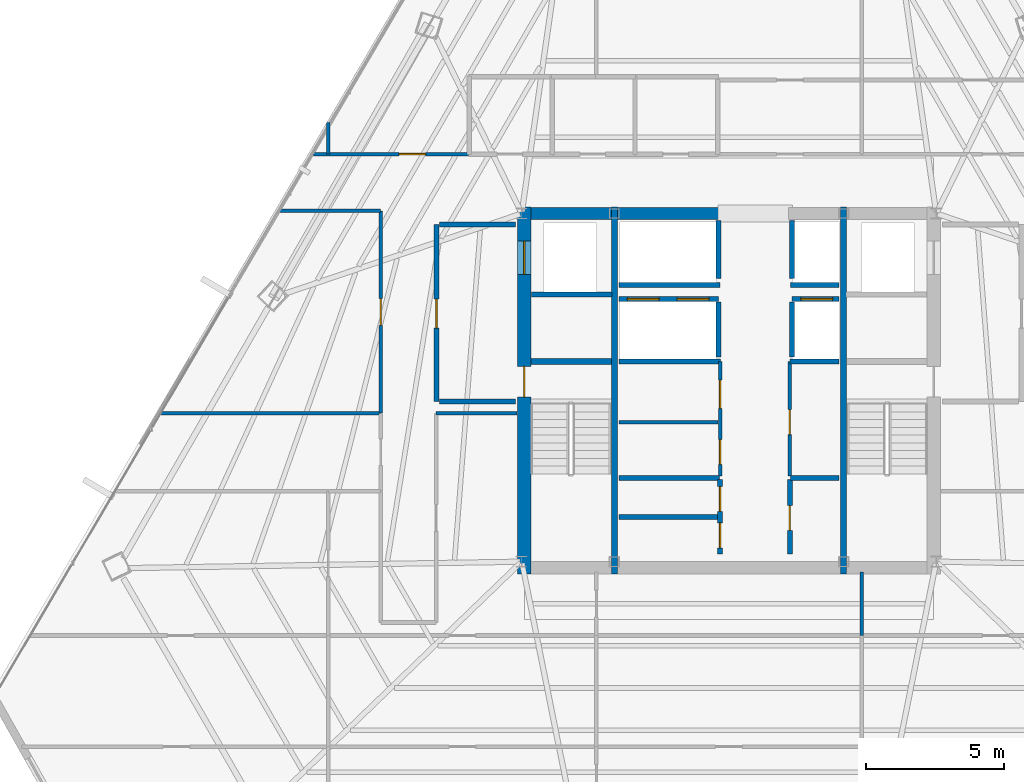
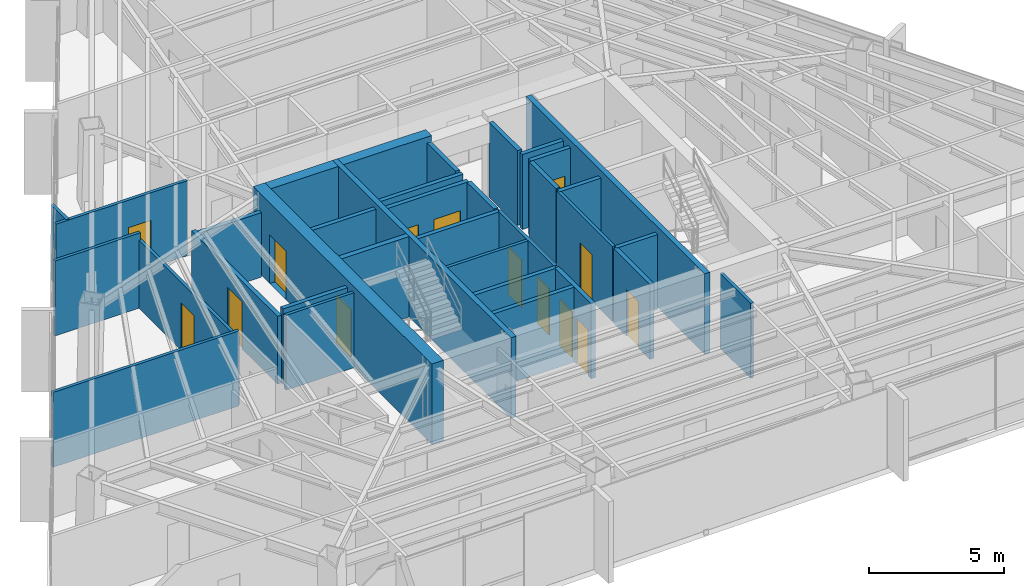
# One storey, part 37 of 44: 35 walls, 14 doors, 14 openings.
"""IFC4 building model written with IfcOpenShell, lengths in metres."""

from ifc_helpers import new_model, si_unit, direction, frame, frame_2d, origin, place, context, subcontext, project, spatial, rectangle, extrude, material, layer, layer_set, type_object, element, fill, save


model = new_model("IFC4")

# Units and contexts
model_context = context("Model", 3, precision=1e-05, world=origin(), true_north=direction((0.0, 1.0)))
body_context = subcontext(model_context, "Body", "Model", "MODEL_VIEW")
ifc_project = project(units=[si_unit("LENGTHUNIT", "METRE"), si_unit("AREAUNIT", "SQUARE_METRE"), si_unit("VOLUMEUNIT", "CUBIC_METRE"), si_unit("PLANEANGLEUNIT", "RADIAN"), si_unit("MASSUNIT", "GRAM", prefix="KILO")], contexts=[model_context])

# Site, building, storey
site_placement = place(None, origin())
site = spatial("IfcSite", under=ifc_project, at=site_placement, CompositionType="ELEMENT")
building_placement = place(site_placement, origin())
building = spatial("IfcBuilding", under=site, at=building_placement, Name="Caelisora Broadcast Tower", CompositionType="ELEMENT")
storey_placement = place(building_placement, frame((0.0, 0.0, 198.64990234375)))
storey = spatial("IfcBuildingStorey", under=building, at=storey_placement, Name="L52", CompositionType="ELEMENT", Elevation=198.64990234375)

# Wall, openings, doors
ifc_material_1 = material(Name="Concrete 50 MPa (AS 3600 S50)", Category="concrete")
ifc_layer_1 = layer(ifc_material_1, 0.5, Name="Concrete 50 MPa (AS 3600 S50)")
ifc_layer_set_1 = layer_set([ifc_layer_1], Name="Concrete 50 MPa (AS 3600 S50)")
wall_type_1 = type_object("IfcWallType", Name="CW2", PredefinedType="SHEAR", material=ifc_layer_set_1)
wall_1_placement = place(storey_placement, frame((30.590087890625, 16.949951171875, 0.0), z_axis=(0.0, 0.0, 1.0), x_axis=(0.0, 1.0, 0.0)))
wall_1 = element("IfcWall", 1, at=wall_1_placement, inside=storey, type_object=wall_type_1, Name="L52 core shear wall CW2", PredefinedType="SHEAR", context=body_context, shape_type="SweptSolid", body=[
    extrude(rectangle(XDim=13.275146484375, YDim=0.5, at=frame_2d((6.6376953125, 0.0))), origin(), (0.0, 0.0, 1.0), 3.650146484375),
])
opening_1_placement = place(wall_1_placement, frame((6.39990234375, 0.0, 0.0)))
opening_1 = element("IfcOpeningElement", 2, at=opening_1_placement, cuts=wall_1, Name="Opening FD04", PredefinedType="OPENING", context=body_context, shape_type="SweptSolid", body=[
    extrude(rectangle(XDim=1.1201171875, YDim=2.14990234375, at=frame_2d((0.56005859375, 1.074951171875))), frame((0.0, 0.261962890625, 0.0), z_axis=(0.0, -1.0, 0.0), x_axis=(1.0, 0.0, 0.0)), (0.0, 0.0, 1.0), 0.52392578125),
])
opening_2_placement = place(wall_1_placement, frame((10.85009765625, 0.0, 0.0)))
opening_2 = element("IfcOpeningElement", 3, at=opening_2_placement, cuts=wall_1, Name="Opening LD04", PredefinedType="OPENING", context=body_context, shape_type="SweptSolid", body=[
    extrude(rectangle(XDim=1.199951171875, YDim=2.199951171875, at=frame_2d((0.60009765625, 1.10009765625))), frame((0.0, 0.261962890625, 0.0), z_axis=(0.0, -1.0, 0.0), x_axis=(1.0, 0.0, 0.0)), (0.0, 0.0, 1.0), 0.52392578125),
])
ifc_material_2 = material(Name="Pressurised Fire-Isolated Stair Door", Category="steel")
door_type_1 = type_object("IfcDoorType", Name="FD04", OperationType="NOTDEFINED", PredefinedType="DOOR", material=ifc_material_2)
door_1_placement = place(opening_1_placement, origin())
door_1 = element("IfcDoor", 4, at=door_1_placement, inside=storey, type_object=door_type_1, Name="L52 door FD04 (L52-DR-ST1)", OperationType="SINGLE_SWING_LEFT", OverallHeight=2.14990234375, OverallWidth=1.1201171875, PredefinedType="DOOR", context=body_context, shape_type="SweptSolid", body=[
    extrude(rectangle(XDim=1.1201171875, YDim=2.14990234375, at=frame_2d((0.56005859375, 1.074951171875))), frame((0.0, 0.02490234375, 0.0), z_axis=(0.0, -1.0, 0.0), x_axis=(1.0, 0.0, 0.0)), (0.0, 0.0, 1.0), 0.050048828125),
])
fill(opening_1, door_1)
ifc_material_3 = material(Name="Emergency Firefighting Lift Sliding Landing Door", Category="steel")
door_type_2 = type_object("IfcDoorType", Name="LD04", OperationType="NOTDEFINED", PredefinedType="DOOR", material=ifc_material_3)
door_2_placement = place(opening_2_placement, origin())
door_2 = element("IfcDoor", 5, at=door_2_placement, inside=storey, type_object=door_type_2, Name="L52 door LD04 (L52-LD-FFL1)", OperationType="SLIDING_TO_LEFT", OverallHeight=2.199951171875, OverallWidth=1.199951171875, PredefinedType="DOOR", context=body_context, shape_type="SweptSolid", body=[
    extrude(rectangle(XDim=1.199951171875, YDim=2.199951171875, at=frame_2d((0.60009765625, 1.10009765625))), frame((0.0, 0.02490234375, 0.0), z_axis=(0.0, -1.0, 0.0), x_axis=(1.0, 0.0, 0.0)), (0.0, 0.0, 1.0), 0.050048828125),
])
fill(opening_2, door_2)

# Walls
ifc_layer_2 = layer(ifc_material_1, 0.449951171875, Name="Concrete 50 MPa (AS 3600 S50)")
ifc_layer_set_2 = layer_set([ifc_layer_2], Name="Concrete 50 MPa (AS 3600 S50)")
wall_type_2 = type_object("IfcWallType", Name="CW5", PredefinedType="SHEAR", material=ifc_layer_set_2)
wall_2_placement = place(storey_placement, frame((30.840087890625, 30.0, 0.0), z_axis=(0.0, 0.0, 1.0), x_axis=(1.0, 0.0, 0.0)))
element("IfcWall", 6, at=wall_2_placement, inside=storey, type_object=wall_type_2, Name="L52 core shear wall CW5", PredefinedType="SHEAR", context=body_context, shape_type="SweptSolid", body=[
    extrude(rectangle(XDim=2.89990234375, YDim=0.449951171875, at=frame_2d((1.449951171875, 0.0))), origin(), (0.0, 0.0, 1.0), 3.650146484375),
])
wall_3_placement = place(storey_placement, frame((33.9599609375, 30.0, 0.0), z_axis=(0.0, 0.0, 1.0), x_axis=(1.0, 0.0, 0.0)))
element("IfcWall", 7, at=wall_3_placement, inside=storey, type_object=wall_type_2, Name="L52 core shear wall CW5", PredefinedType="SHEAR", context=body_context, shape_type="SweptSolid", body=[
    extrude(rectangle(XDim=3.780029296875, YDim=0.449951171875, at=frame_2d((1.89013671875, 0.0))), origin(), (0.0, 0.0, 1.0), 3.650146484375),
])
ifc_layer_3 = layer(ifc_material_1, 0.219970703125, Name="Concrete 50 MPa (AS 3600 S50)")
ifc_layer_set_3 = layer_set([ifc_layer_3], Name="Concrete 50 MPa (AS 3600 S50)")
wall_type_3 = type_object("IfcWallType", Name="CW7", PredefinedType="SHEAR", material=ifc_layer_set_3)
for number, where, z_axis, x_axis, name in (
    (8, (33.85009765625, 16.949951171875, 0.0), (0.0, 0.0, 1.0), (0.0, 1.0, 0.0), "L52 core shear wall CW7"),
    (9, (42.14990234375, 16.949951171875, 0.0), (0.0, 0.0, 1.0), (0.0, 1.0, 0.0), "L52 core shear wall CW7"),
):
    element("IfcWall", number, at=place(storey_placement, frame(where, z_axis=z_axis, x_axis=x_axis)), inside=storey, type_object=wall_type_3, Name=name, PredefinedType="SHEAR", context=body_context, shape_type="SweptSolid", body=[
        extrude(rectangle(XDim=13.275146484375, YDim=0.219970703125, at=frame_2d((6.6376953125, 0.0))), origin(), (0.0, 0.0, 1.0), 3.650146484375),
    ])
wall_4_placement = place(storey_placement, frame((30.840087890625, 24.639892578125, 0.0), z_axis=(0.0, 0.0, 1.0), x_axis=(1.0, 0.0, 0.0)))
element("IfcWall", 10, at=wall_4_placement, inside=storey, type_object=wall_type_3, Name="L52 core shear wall CW7", PredefinedType="SHEAR", context=body_context, shape_type="SweptSolid", body=[
    extrude(rectangle(XDim=2.89990234375, YDim=0.219970703125, at=frame_2d((1.449951171875, 0.0))), origin(), (0.0, 0.0, 1.0), 3.650146484375),
])

# Wall, openings, doors
ifc_material_4 = material(Name="Fire-Rated Gypsum Shaft and Compartment Wall", Category="gypsum")
ifc_layer_4 = layer(ifc_material_4, 0.179931640625, Name="Fire-Rated Gypsum Shaft and Compartment Wall")
ifc_layer_set_4 = layer_set([ifc_layer_4], Name="Fire-Rated Gypsum Shaft and Compartment Wall")
wall_type_4 = type_object("IfcWallType", Name="PW2", PredefinedType="PARTITIONING", material=ifc_layer_set_4)
wall_5_placement = place(storey_placement, frame((34.02001953125, 26.89990234375, 0.0), z_axis=(0.0, 0.0, 1.0), x_axis=(1.0, 0.0, 0.0)))
wall_5 = element("IfcWall", 11, at=wall_5_placement, inside=storey, type_object=wall_type_4, Name="L52 fire compartment wall PW2", PredefinedType="PARTITIONING", context=body_context, shape_type="SweptSolid", body=[
    extrude(rectangle(XDim=3.60009765625, YDim=0.179931640625, at=frame_2d((1.800048828125, 0.0))), origin(), (0.0, 0.0, 1.0), 3.400146484375),
])
opening_3_placement = place(wall_5_placement, frame((0.300048828125, 0.0, 0.0)))
opening_3 = element("IfcOpeningElement", 12, at=opening_3_placement, cuts=wall_5, Name="Opening LD02", PredefinedType="OPENING", context=body_context, shape_type="SweptSolid", body=[
    extrude(rectangle(XDim=1.14990234375, YDim=2.199951171875, at=frame_2d((0.574951171875, 1.10009765625))), frame((0.0, 0.10205078125, 0.0), z_axis=(0.0, -1.0, 0.0), x_axis=(1.0, 0.0, 0.0)), (0.0, 0.0, 1.0), 0.203857421875),
])
opening_4_placement = place(wall_5_placement, frame((2.10009765625, 0.0, 0.0)))
opening_4 = element("IfcOpeningElement", 13, at=opening_4_placement, cuts=wall_5, Name="Opening LD02", PredefinedType="OPENING", context=body_context, shape_type="SweptSolid", body=[
    extrude(rectangle(XDim=1.14990234375, YDim=2.199951171875, at=frame_2d((0.574951171875, 1.10009765625))), frame((0.0, 0.10205078125, 0.0), z_axis=(0.0, -1.0, 0.0), x_axis=(1.0, 0.0, 0.0)), (0.0, 0.0, 1.0), 0.203857421875),
])
ifc_material_5 = material(Name="High-Speed Express Lift Sliding Landing Door", Category="steel")
door_type_3 = type_object("IfcDoorType", Name="LD02", OperationType="NOTDEFINED", PredefinedType="DOOR", material=ifc_material_5)
door_3_placement = place(opening_3_placement, origin())
door_3 = element("IfcDoor", 14, at=door_3_placement, inside=storey, type_object=door_type_3, Name="L52 door LD02 (L52-LD-PLM1)", OperationType="SLIDING_TO_LEFT", OverallHeight=2.199951171875, OverallWidth=1.14990234375, PredefinedType="DOOR", context=body_context, shape_type="SweptSolid", body=[
    extrude(rectangle(XDim=1.14990234375, YDim=2.199951171875, at=frame_2d((0.574951171875, 1.10009765625))), frame((0.0, 0.02490234375, 0.0), z_axis=(0.0, -1.0, 0.0), x_axis=(1.0, 0.0, 0.0)), (0.0, 0.0, 1.0), 0.050048828125),
])
fill(opening_3, door_3)
door_4_placement = place(opening_4_placement, origin())
door_4 = element("IfcDoor", 15, at=door_4_placement, inside=storey, type_object=door_type_3, Name="L52 door LD02 (L52-LD-PLM2)", OperationType="SLIDING_TO_RIGHT", OverallHeight=2.199951171875, OverallWidth=1.14990234375, PredefinedType="DOOR", context=body_context, shape_type="SweptSolid", body=[
    extrude(rectangle(XDim=1.14990234375, YDim=2.199951171875, at=frame_2d((0.574951171875, 1.10009765625))), frame((0.0, 0.02490234375, 0.0), z_axis=(0.0, -1.0, 0.0), x_axis=(1.0, 0.0, 0.0)), (0.0, 0.0, 1.0), 0.050048828125),
])
fill(opening_4, door_4)

# Wall, opening, door
wall_6_placement = place(storey_placement, frame((40.280029296875, 26.89990234375, 0.0), z_axis=(0.0, 0.0, 1.0), x_axis=(1.0, 0.0, 0.0)))
wall_6 = element("IfcWall", 16, at=wall_6_placement, inside=storey, type_object=wall_type_4, Name="L52 fire compartment wall PW2", PredefinedType="PARTITIONING", context=body_context, shape_type="SweptSolid", body=[
    extrude(rectangle(XDim=1.699951171875, YDim=0.179931640625, at=frame_2d((0.85009765625, 0.0))), origin(), (0.0, 0.0, 1.0), 3.400146484375),
])
opening_5_placement = place(wall_6_placement, frame((0.320068359375, 0.0, 0.0)))
opening_5 = element("IfcOpeningElement", 17, at=opening_5_placement, cuts=wall_6, Name="Opening LD02", PredefinedType="OPENING", context=body_context, shape_type="SweptSolid", body=[
    extrude(rectangle(XDim=1.14990234375, YDim=2.199951171875, at=frame_2d((0.574951171875, 1.10009765625))), frame((0.0, 0.10205078125, 0.0), z_axis=(0.0, -1.0, 0.0), x_axis=(1.0, 0.0, 0.0)), (0.0, 0.0, 1.0), 0.203857421875),
])
door_5_placement = place(opening_5_placement, origin())
door_5 = element("IfcDoor", 18, at=door_5_placement, inside=storey, type_object=door_type_3, Name="L52 door LD02 (L52-LD-PLM3)", OperationType="SLIDING_TO_LEFT", OverallHeight=2.199951171875, OverallWidth=1.14990234375, PredefinedType="DOOR", context=body_context, shape_type="SweptSolid", body=[
    extrude(rectangle(XDim=1.14990234375, YDim=2.199951171875, at=frame_2d((0.574951171875, 1.10009765625))), frame((0.0, 0.02490234375, 0.0), z_axis=(0.0, -1.0, 0.0), x_axis=(1.0, 0.0, 0.0)), (0.0, 0.0, 1.0), 0.050048828125),
])
fill(opening_5, door_5)

# Walls
for number, where, z_axis, x_axis, name in (
    (19, (37.6201171875, 24.800048828125, 0.0), (0.0, 0.0, 1.0), (0.0, 1.0, 0.0), "L52 fire compartment wall PW2"),
    (20, (40.280029296875, 24.800048828125, 0.0), (0.0, 0.0, 1.0), (0.0, 1.0, 0.0), "L52 fire compartment wall PW2"),
):
    element("IfcWall", number, at=place(storey_placement, frame(where, z_axis=z_axis, x_axis=x_axis)), inside=storey, type_object=wall_type_4, Name=name, PredefinedType="PARTITIONING", context=body_context, shape_type="SweptSolid", body=[
        extrude(rectangle(XDim=2.0, YDim=0.179931640625, at=frame_2d((1.0, 0.0))), origin(), (0.0, 0.0, 1.0), 3.400146484375),
    ])
wall_7_placement = place(storey_placement, frame((34.02001953125, 24.639892578125, 0.0), z_axis=(0.0, 0.0, 1.0), x_axis=(1.0, 0.0, 0.0)))
element("IfcWall", 21, at=wall_7_placement, inside=storey, type_object=wall_type_4, Name="L52 fire compartment wall PW2", PredefinedType="PARTITIONING", context=body_context, shape_type="SweptSolid", body=[
    extrude(rectangle(XDim=3.679931640625, YDim=0.179931640625, at=frame_2d((1.83984375, 0.0))), origin(), (0.0, 0.0, 1.0), 3.400146484375),
])
wall_8_placement = place(storey_placement, frame((40.199951171875, 24.639892578125, 0.0), z_axis=(0.0, 0.0, 1.0), x_axis=(1.0, 0.0, 0.0)))
element("IfcWall", 22, at=wall_8_placement, inside=storey, type_object=wall_type_4, Name="L52 fire compartment wall PW2", PredefinedType="PARTITIONING", context=body_context, shape_type="SweptSolid", body=[
    extrude(rectangle(XDim=1.780029296875, YDim=0.179931640625, at=frame_2d((0.89013671875, 0.0))), origin(), (0.0, 0.0, 1.0), 3.400146484375),
])
wall_9_placement = place(storey_placement, frame((34.02001953125, 27.419921875, 0.0), z_axis=(0.0, 0.0, 1.0), x_axis=(1.0, 0.0, 0.0)))
element("IfcWall", 23, at=wall_9_placement, inside=storey, type_object=wall_type_4, Name="L52 fire compartment wall PW2", PredefinedType="PARTITIONING", context=body_context, shape_type="SweptSolid", body=[
    extrude(rectangle(XDim=3.659912109375, YDim=0.179931640625, at=frame_2d((1.830078125, 0.0))), origin(), (0.0, 0.0, 1.0), 3.400146484375),
])
wall_10_placement = place(storey_placement, frame((40.219970703125, 27.419921875, 0.0), z_axis=(0.0, 0.0, 1.0), x_axis=(1.0, 0.0, 0.0)))
element("IfcWall", 24, at=wall_10_placement, inside=storey, type_object=wall_type_4, Name="L52 fire compartment wall PW2", PredefinedType="PARTITIONING", context=body_context, shape_type="SweptSolid", body=[
    extrude(rectangle(XDim=1.760009765625, YDim=0.179931640625, at=frame_2d((0.8798828125, 0.0))), origin(), (0.0, 0.0, 1.0), 3.400146484375),
])
for number, where, z_axis, x_axis, name in (
    (25, (37.6201171875, 27.639892578125, 0.0), (0.0, 0.0, 1.0), (0.0, 1.0, 0.0), "L52 fire compartment wall PW2"),
    (26, (40.280029296875, 27.639892578125, 0.0), (0.0, 0.0, 1.0), (0.0, 1.0, 0.0), "L52 fire compartment wall PW2"),
):
    element("IfcWall", number, at=place(storey_placement, frame(where, z_axis=z_axis, x_axis=x_axis)), inside=storey, type_object=wall_type_4, Name=name, PredefinedType="PARTITIONING", context=body_context, shape_type="SweptSolid", body=[
        extrude(rectangle(XDim=2.110107421875, YDim=0.179931640625, at=frame_2d((1.05517578125, 0.0))), origin(), (0.0, 0.0, 1.0), 3.400146484375),
    ])

# Wall, opening, door
wall_11_placement = place(storey_placement, frame((27.419921875, 23.199951171875, 0.0), z_axis=(0.0, 0.0, 1.0), x_axis=(0.0, 1.0, 0.0)))
wall_11 = element("IfcWall", 27, at=wall_11_placement, inside=storey, type_object=wall_type_4, Name="L52 fire compartment wall PW2", PredefinedType="PARTITIONING", context=body_context, shape_type="SweptSolid", body=[
    extrude(rectangle(XDim=6.400146484375, YDim=0.179931640625, at=frame_2d((3.2001953125, 0.0))), origin(), (0.0, 0.0, 1.0), 3.077880859375),
])
opening_6_placement = place(wall_11_placement, frame((2.64990234375, 0.0, 0.0)))
opening_6 = element("IfcOpeningElement", 28, at=opening_6_placement, cuts=wall_11, Name="Opening FD02", PredefinedType="OPENING", context=body_context, shape_type="SweptSolid", body=[
    extrude(rectangle(XDim=1.050048828125, YDim=2.14990234375, at=frame_2d((0.52490234375, 1.074951171875))), frame((0.0, 0.10205078125, 0.0), z_axis=(0.0, -1.0, 0.0), x_axis=(1.0, 0.0, 0.0)), (0.0, 0.0, 1.0), 0.203857421875),
])
ifc_material_6 = material(Name="Single-Leaf Steel Fire Lobby Door", Category="steel")
door_type_4 = type_object("IfcDoorType", Name="FD02", OperationType="NOTDEFINED", PredefinedType="DOOR", material=ifc_material_6)
door_6_placement = place(opening_6_placement, origin())
door_6 = element("IfcDoor", 29, at=door_6_placement, inside=storey, type_object=door_type_4, Name="L52 door FD02 (L52-DR-P01D1)", OperationType="SINGLE_SWING_LEFT", OverallHeight=2.14990234375, OverallWidth=1.050048828125, PredefinedType="DOOR", context=body_context, shape_type="SweptSolid", body=[
    extrude(rectangle(XDim=1.050048828125, YDim=2.14990234375, at=frame_2d((0.52490234375, 1.074951171875))), frame((0.0, 0.02490234375, 0.0), z_axis=(0.0, -1.0, 0.0), x_axis=(1.0, 0.0, 0.0)), (0.0, 0.0, 1.0), 0.050048828125),
])
fill(opening_6, door_6)

# Walls
wall_12_placement = place(storey_placement, frame((27.52001953125, 23.199951171875, 0.0), z_axis=(0.0, 0.0, 1.0), x_axis=(1.0, 0.0, 0.0)))
element("IfcWall", 30, at=wall_12_placement, inside=storey, type_object=wall_type_4, Name="L52 fire compartment wall PW2", PredefinedType="PARTITIONING", context=body_context, shape_type="SweptSolid", body=[
    extrude(rectangle(XDim=2.760009765625, YDim=0.179931640625, at=frame_2d((1.3798828125, 0.0))), origin(), (0.0, 0.0, 1.0), 3.400146484375),
])
wall_13_placement = place(storey_placement, frame((27.52001953125, 29.60009765625, 0.0), z_axis=(0.0, 0.0, 1.0), x_axis=(1.0, 0.0, 0.0)))
element("IfcWall", 31, at=wall_13_placement, inside=storey, type_object=wall_type_4, Name="L52 fire compartment wall PW2", PredefinedType="PARTITIONING", context=body_context, shape_type="SweptSolid", body=[
    extrude(rectangle(XDim=2.760009765625, YDim=0.179931640625, at=frame_2d((1.3798828125, 0.0))), origin(), (0.0, 0.0, 1.0), 2.9248046875),
])
wall_14_placement = place(storey_placement, frame((30.860107421875, 27.070068359375, 0.0), z_axis=(0.0, 0.0, 1.0), x_axis=(1.0, 0.0, 0.0)))
element("IfcWall", 32, at=wall_14_placement, inside=storey, type_object=wall_type_4, Name="L52 fire compartment wall PW2", PredefinedType="PARTITIONING", context=body_context, shape_type="SweptSolid", body=[
    extrude(rectangle(XDim=2.89990234375, YDim=0.179931640625, at=frame_2d((1.449951171875, 0.0))), origin(), (0.0, 0.0, 1.0), 3.400146484375),
])
wall_15_placement = place(storey_placement, frame((34.02001953125, 20.419921875, 0.0), z_axis=(0.0, 0.0, 1.0), x_axis=(1.0, 0.0, 0.0)))
element("IfcWall", 33, at=wall_15_placement, inside=storey, type_object=wall_type_4, Name="L52 fire compartment wall PW2", PredefinedType="PARTITIONING", context=body_context, shape_type="SweptSolid", body=[
    extrude(rectangle(XDim=3.639892578125, YDim=0.179931640625, at=frame_2d((1.81982421875, 0.0))), origin(), (0.0, 0.0, 1.0), 3.400146484375),
])
wall_16_placement = place(storey_placement, frame((40.219970703125, 20.419921875, 0.0), z_axis=(0.0, 0.0, 1.0), x_axis=(1.0, 0.0, 0.0)))
element("IfcWall", 34, at=wall_16_placement, inside=storey, type_object=wall_type_4, Name="L52 fire compartment wall PW2", PredefinedType="PARTITIONING", context=body_context, shape_type="SweptSolid", body=[
    extrude(rectangle(XDim=1.760009765625, YDim=0.179931640625, at=frame_2d((0.8798828125, 0.0))), origin(), (0.0, 0.0, 1.0), 3.400146484375),
])
wall_17_placement = place(storey_placement, frame((34.02001953125, 19.02001953125, 0.0), z_axis=(0.0, 0.0, 1.0), x_axis=(1.0, 0.0, 0.0)))
element("IfcWall", 35, at=wall_17_placement, inside=storey, type_object=wall_type_4, Name="L52 fire compartment wall PW2", PredefinedType="PARTITIONING", context=body_context, shape_type="SweptSolid", body=[
    extrude(rectangle(XDim=3.580078125, YDim=0.179931640625, at=frame_2d((1.7900390625, 0.0))), origin(), (0.0, 0.0, 1.0), 3.400146484375),
])

# Wall, openings, doors
wall_18_placement = place(storey_placement, frame((37.679931640625, 17.679931640625, 0.0), z_axis=(0.0, 0.0, 1.0), x_axis=(0.0, 1.0, 0.0)))
wall_18 = element("IfcWall", 36, at=wall_18_placement, inside=storey, type_object=wall_type_4, Name="L52 fire compartment wall PW2", PredefinedType="PARTITIONING", context=body_context, shape_type="SweptSolid", body=[
    extrude(rectangle(XDim=2.699951171875, YDim=0.179931640625, at=frame_2d((1.35009765625, 0.0))), origin(), (0.0, 0.0, 1.0), 3.400146484375),
])
opening_7_placement = place(wall_18_placement, frame((0.219970703125, 0.0, 0.0)))
opening_7 = element("IfcOpeningElement", 37, at=opening_7_placement, cuts=wall_18, Name="Opening FD03", PredefinedType="OPENING", context=body_context, shape_type="SweptSolid", body=[
    extrude(rectangle(XDim=0.89990234375, YDim=2.10009765625, at=frame_2d((0.449951171875, 1.050048828125))), frame((0.0, 0.10205078125, 0.0), z_axis=(0.0, -1.0, 0.0), x_axis=(1.0, 0.0, 0.0)), (0.0, 0.0, 1.0), 0.203857421875),
])
opening_8_placement = place(wall_18_placement, frame((1.5400390625, 0.0, 0.0)))
opening_8 = element("IfcOpeningElement", 38, at=opening_8_placement, cuts=wall_18, Name="Opening FD03", PredefinedType="OPENING", context=body_context, shape_type="SweptSolid", body=[
    extrude(rectangle(XDim=0.89990234375, YDim=2.10009765625, at=frame_2d((0.449951171875, 1.050048828125))), frame((0.0, 0.10205078125, 0.0), z_axis=(0.0, -1.0, 0.0), x_axis=(1.0, 0.0, 0.0)), (0.0, 0.0, 1.0), 0.203857421875),
])
ifc_material_7 = material(Name="Single-Leaf Steel Riser Fire Access Door", Category="steel")
door_type_5 = type_object("IfcDoorType", Name="FD03", OperationType="NOTDEFINED", PredefinedType="DOOR", material=ifc_material_7)
door_7_placement = place(opening_7_placement, origin())
door_7 = element("IfcDoor", 39, at=door_7_placement, inside=storey, type_object=door_type_5, Name="L52 door FD03 (L52-DR-P15D1)", OperationType="SINGLE_SWING_RIGHT", OverallHeight=2.10009765625, OverallWidth=0.89990234375, PredefinedType="DOOR", context=body_context, shape_type="SweptSolid", body=[
    extrude(rectangle(XDim=0.89990234375, YDim=2.10009765625, at=frame_2d((0.449951171875, 1.050048828125))), frame((0.0, 0.02490234375, 0.0), z_axis=(0.0, -1.0, 0.0), x_axis=(1.0, 0.0, 0.0)), (0.0, 0.0, 1.0), 0.050048828125),
])
fill(opening_7, door_7)
door_8_placement = place(opening_8_placement, origin())
door_8 = element("IfcDoor", 40, at=door_8_placement, inside=storey, type_object=door_type_5, Name="L52 door FD03 (L52-DR-P15D2)", OperationType="SINGLE_SWING_LEFT", OverallHeight=2.10009765625, OverallWidth=0.89990234375, PredefinedType="DOOR", context=body_context, shape_type="SweptSolid", body=[
    extrude(rectangle(XDim=0.89990234375, YDim=2.10009765625, at=frame_2d((0.449951171875, 1.050048828125))), frame((0.0, 0.02490234375, 0.0), z_axis=(0.0, -1.0, 0.0), x_axis=(1.0, 0.0, 0.0)), (0.0, 0.0, 1.0), 0.050048828125),
])
fill(opening_8, door_8)

# Wall, opening, door
wall_19_placement = place(storey_placement, frame((40.199951171875, 17.679931640625, 0.0), z_axis=(0.0, 0.0, 1.0), x_axis=(0.0, 1.0, 0.0)))
wall_19 = element("IfcWall", 41, at=wall_19_placement, inside=storey, type_object=wall_type_4, Name="L52 fire compartment wall PW2", PredefinedType="PARTITIONING", context=body_context, shape_type="SweptSolid", body=[
    extrude(rectangle(XDim=2.699951171875, YDim=0.179931640625, at=frame_2d((1.35009765625, 0.0))), origin(), (0.0, 0.0, 1.0), 3.400146484375),
])
opening_9_placement = place(wall_19_placement, frame((0.85009765625, 0.0, 0.0)))
opening_9 = element("IfcOpeningElement", 42, at=opening_9_placement, cuts=wall_19, Name="Opening FD03", PredefinedType="OPENING", context=body_context, shape_type="SweptSolid", body=[
    extrude(rectangle(XDim=0.89990234375, YDim=2.10009765625, at=frame_2d((0.449951171875, 1.050048828125))), frame((0.0, 0.10205078125, 0.0), z_axis=(0.0, -1.0, 0.0), x_axis=(1.0, 0.0, 0.0)), (0.0, 0.0, 1.0), 0.203857421875),
])
door_9_placement = place(opening_9_placement, origin())
door_9 = element("IfcDoor", 43, at=door_9_placement, inside=storey, type_object=door_type_5, Name="L52 door FD03 (L52-DR-P16D1)", OperationType="SINGLE_SWING_RIGHT", OverallHeight=2.10009765625, OverallWidth=0.89990234375, PredefinedType="DOOR", context=body_context, shape_type="SweptSolid", body=[
    extrude(rectangle(XDim=0.89990234375, YDim=2.10009765625, at=frame_2d((0.449951171875, 1.050048828125))), frame((0.0, 0.02490234375, 0.0), z_axis=(0.0, -1.0, 0.0), x_axis=(1.0, 0.0, 0.0)), (0.0, 0.0, 1.0), 0.050048828125),
])
fill(opening_9, door_9)

# Wall
ifc_material_8 = material(Name="Acoustic Steel-Stud Plasterboard Partition", Category="gypsum")
ifc_layer_5 = layer(ifc_material_8, 0.1298828125, Name="Acoustic Steel-Stud Plasterboard Partition")
ifc_layer_set_5 = layer_set([ifc_layer_5], Name="Acoustic Steel-Stud Plasterboard Partition")
wall_type_5 = type_object("IfcWallType", Name="PW3", PredefinedType="PARTITIONING", material=ifc_layer_set_5)
wall_20_placement = place(storey_placement, frame((34.02001953125, 22.449951171875, 0.0), z_axis=(0.0, 0.0, 1.0), x_axis=(1.0, 0.0, 0.0)))
element("IfcWall", 44, at=wall_20_placement, inside=storey, type_object=wall_type_5, Name="L52 internal partition PW3", PredefinedType="PARTITIONING", context=body_context, shape_type="SweptSolid", body=[
    extrude(rectangle(XDim=3.580078125, YDim=0.1298828125, at=frame_2d((1.7900390625, 0.0))), origin(), (0.0, 0.0, 1.0), 3.400146484375),
])

# Wall, openings, doors
wall_21_placement = place(storey_placement, frame((37.679931640625, 20.5, 0.0), z_axis=(0.0, 0.0, 1.0), x_axis=(0.0, 1.0, 0.0)))
wall_21 = element("IfcWall", 45, at=wall_21_placement, inside=storey, type_object=wall_type_5, Name="L52 internal partition PW3", PredefinedType="PARTITIONING", context=body_context, shape_type="SweptSolid", body=[
    extrude(rectangle(XDim=4.139892578125, YDim=0.1298828125, at=frame_2d((2.06982421875, 0.0))), origin(), (0.0, 0.0, 1.0), 3.400146484375),
])
opening_10_placement = place(wall_21_placement, frame((0.419921875, 0.0, 0.0)))
opening_10 = element("IfcOpeningElement", 46, at=opening_10_placement, cuts=wall_21, Name="Opening FD03", PredefinedType="OPENING", context=body_context, shape_type="SweptSolid", body=[
    extrude(rectangle(XDim=0.89990234375, YDim=2.10009765625, at=frame_2d((0.449951171875, 1.050048828125))), frame((0.0, 0.076904296875, 0.0), z_axis=(0.0, -1.0, 0.0), x_axis=(1.0, 0.0, 0.0)), (0.0, 0.0, 1.0), 0.15380859375),
])
opening_11_placement = place(wall_21_placement, frame((2.449951171875, 0.0, 0.0)))
opening_11 = element("IfcOpeningElement", 47, at=opening_11_placement, cuts=wall_21, Name="Opening D02", PredefinedType="OPENING", context=body_context, shape_type="SweptSolid", body=[
    extrude(rectangle(XDim=1.02001953125, YDim=2.14990234375, at=frame_2d((0.510009765625, 1.074951171875))), frame((0.0, 0.076904296875, 0.0), z_axis=(0.0, -1.0, 0.0), x_axis=(1.0, 0.0, 0.0)), (0.0, 0.0, 1.0), 0.15380859375),
])
ifc_material_9 = material(Name="Solid-Core Timber Archive Suite Door", Category="wood")
door_type_6 = type_object("IfcDoorType", Name="D02", OperationType="NOTDEFINED", PredefinedType="DOOR", material=ifc_material_9)
door_10_placement = place(opening_11_placement, origin())
door_10 = element("IfcDoor", 48, at=door_10_placement, inside=storey, type_object=door_type_6, Name="L52 door D02 (L52-DR-P12D2)", OperationType="SINGLE_SWING_RIGHT", OverallHeight=2.14990234375, OverallWidth=1.02001953125, PredefinedType="DOOR", context=body_context, shape_type="SweptSolid", body=[
    extrude(rectangle(XDim=1.02001953125, YDim=2.14990234375, at=frame_2d((0.510009765625, 1.074951171875))), frame((0.0, 0.02490234375, 0.0), z_axis=(0.0, -1.0, 0.0), x_axis=(1.0, 0.0, 0.0)), (0.0, 0.0, 1.0), 0.050048828125),
])
fill(opening_11, door_10)
door_11_placement = place(opening_10_placement, origin())
door_11 = element("IfcDoor", 49, at=door_11_placement, inside=storey, type_object=door_type_5, Name="L52 door FD03 (L52-DR-P12D1)", OperationType="SINGLE_SWING_LEFT", OverallHeight=2.10009765625, OverallWidth=0.89990234375, PredefinedType="DOOR", context=body_context, shape_type="SweptSolid", body=[
    extrude(rectangle(XDim=0.89990234375, YDim=2.10009765625, at=frame_2d((0.449951171875, 1.050048828125))), frame((0.0, 0.02490234375, 0.0), z_axis=(0.0, -1.0, 0.0), x_axis=(1.0, 0.0, 0.0)), (0.0, 0.0, 1.0), 0.050048828125),
])
fill(opening_10, door_11)

# Wall, opening, door
wall_22_placement = place(storey_placement, frame((40.199951171875, 20.5, 0.0), z_axis=(0.0, 0.0, 1.0), x_axis=(0.0, 1.0, 0.0)))
wall_22 = element("IfcWall", 50, at=wall_22_placement, inside=storey, type_object=wall_type_5, Name="L52 internal partition PW3", PredefinedType="PARTITIONING", context=body_context, shape_type="SweptSolid", body=[
    extrude(rectangle(XDim=4.139892578125, YDim=0.1298828125, at=frame_2d((2.06982421875, 0.0))), origin(), (0.0, 0.0, 1.0), 3.400146484375),
])
opening_12_placement = place(wall_22_placement, frame((1.5, 0.0, 0.0)))
opening_12 = element("IfcOpeningElement", 51, at=opening_12_placement, cuts=wall_22, Name="Opening FD03", PredefinedType="OPENING", context=body_context, shape_type="SweptSolid", body=[
    extrude(rectangle(XDim=0.89990234375, YDim=2.10009765625, at=frame_2d((0.449951171875, 1.050048828125))), frame((0.0, 0.076904296875, 0.0), z_axis=(0.0, -1.0, 0.0), x_axis=(1.0, 0.0, 0.0)), (0.0, 0.0, 1.0), 0.15380859375),
])
door_12_placement = place(opening_12_placement, origin())
door_12 = element("IfcDoor", 52, at=door_12_placement, inside=storey, type_object=door_type_5, Name="L52 door FD03 (L52-DR-P13D1)", OperationType="SINGLE_SWING_LEFT", OverallHeight=2.10009765625, OverallWidth=0.89990234375, PredefinedType="DOOR", context=body_context, shape_type="SweptSolid", body=[
    extrude(rectangle(XDim=0.89990234375, YDim=2.10009765625, at=frame_2d((0.449951171875, 1.050048828125))), frame((0.0, 0.02490234375, 0.0), z_axis=(0.0, -1.0, 0.0), x_axis=(1.0, 0.0, 0.0)), (0.0, 0.0, 1.0), 0.050048828125),
])
fill(opening_12, door_12)

# Wall
wall_23_placement = place(storey_placement, frame((17.431396484375, 22.77001953125, 0.0), z_axis=(0.0, 0.0, 1.0), x_axis=(1.0, 0.0, 0.0)))
element("IfcWall", 53, at=wall_23_placement, inside=storey, type_object=wall_type_5, Name="L52 internal partition PW3", PredefinedType="PARTITIONING", context=body_context, shape_type="SweptSolid", body=[
    extrude(rectangle(XDim=7.963623046875, YDim=0.1298828125, at=frame_2d((3.98193359375, 0.0))), origin(), (0.0, 0.0, 1.0), 3.400146484375),
])

# Wall, opening, door
wall_24_placement = place(storey_placement, frame((25.39990234375, 30.094970703125, 0.0), z_axis=(0.0, 0.0, 1.0), x_axis=(0.0, -1.0, 0.0)))
wall_24 = element("IfcWall", 54, at=wall_24_placement, inside=storey, type_object=wall_type_5, Name="L52 internal partition PW3", PredefinedType="PARTITIONING", context=body_context, shape_type="SweptSolid", body=[
    extrude(rectangle(XDim=7.320068359375, YDim=0.1298828125, at=frame_2d((3.66015625, 0.0))), origin(), (0.0, 0.0, 1.0), 3.077880859375),
])
opening_13_placement = place(wall_24_placement, frame((3.179931640625, 0.0, 0.0)))
opening_13 = element("IfcOpeningElement", 55, at=opening_13_placement, cuts=wall_24, Name="Opening D01", PredefinedType="OPENING", context=body_context, shape_type="SweptSolid", body=[
    extrude(rectangle(XDim=0.9599609375, YDim=2.14990234375, at=frame_2d((0.47998046875, 1.074951171875))), frame((0.0, 0.076904296875, 0.0), z_axis=(0.0, -1.0, 0.0), x_axis=(1.0, 0.0, 0.0)), (0.0, 0.0, 1.0), 0.15380859375),
])
ifc_material_10 = material(Name="Solid-Core Timber Acoustic Office Door", Category="wood")
door_type_7 = type_object("IfcDoorType", Name="D01", OperationType="NOTDEFINED", PredefinedType="DOOR", material=ifc_material_10)
door_13_placement = place(opening_13_placement, origin())
door_13 = element("IfcDoor", 56, at=door_13_placement, inside=storey, type_object=door_type_7, Name="L52 door D01 (L52-DR-P48D1)", OperationType="SINGLE_SWING_RIGHT", OverallHeight=2.14990234375, OverallWidth=0.9599609375, PredefinedType="DOOR", context=body_context, shape_type="SweptSolid", body=[
    extrude(rectangle(XDim=0.9599609375, YDim=2.14990234375, at=frame_2d((0.47998046875, 1.074951171875))), frame((0.0, 0.02490234375, 0.0), z_axis=(0.0, -1.0, 0.0), x_axis=(1.0, 0.0, 0.0)), (0.0, 0.0, 1.0), 0.050048828125),
])
fill(opening_13, door_13)

wall_25_placement = place(storey_placement, frame((22.96533203125, 32.14990234375, 0.0), z_axis=(0.0, 0.0, 1.0), x_axis=(1.0, 0.0, 0.0)))
wall_25 = element("IfcWall", 57, at=wall_25_placement, inside=storey, type_object=wall_type_5, Name="L52 internal partition PW3", PredefinedType="PARTITIONING", context=body_context, shape_type="SweptSolid", body=[
    extrude(rectangle(XDim=5.629638671875, YDim=0.1298828125, at=frame_2d((2.81494140625, 0.0))), origin(), (0.0, 0.0, 1.0), 3.400146484375),
])
opening_14_placement = place(wall_25_placement, frame((3.10009765625, 0.0, 0.0)))
opening_14 = element("IfcOpeningElement", 58, at=opening_14_placement, cuts=wall_25, Name="Opening D01", PredefinedType="OPENING", context=body_context, shape_type="SweptSolid", body=[
    extrude(rectangle(XDim=0.9599609375, YDim=2.14990234375, at=frame_2d((0.47998046875, 1.074951171875))), frame((0.0, 0.076904296875, 0.0), z_axis=(0.0, -1.0, 0.0), x_axis=(1.0, 0.0, 0.0)), (0.0, 0.0, 1.0), 0.15380859375),
])
door_14_placement = place(opening_14_placement, origin())
door_14 = element("IfcDoor", 59, at=door_14_placement, inside=storey, type_object=door_type_7, Name="L52 door D01 (L52-DR-P58D1)", OperationType="SINGLE_SWING_RIGHT", OverallHeight=2.14990234375, OverallWidth=0.9599609375, PredefinedType="DOOR", context=body_context, shape_type="SweptSolid", body=[
    extrude(rectangle(XDim=0.9599609375, YDim=2.14990234375, at=frame_2d((0.47998046875, 1.074951171875))), frame((0.0, 0.02490234375, 0.0), z_axis=(0.0, -1.0, 0.0), x_axis=(1.0, 0.0, 0.0)), (0.0, 0.0, 1.0), 0.050048828125),
])
fill(opening_14, door_14)

# Walls
wall_26_placement = place(storey_placement, frame((21.73583984375, 30.10009765625, 0.0), z_axis=(0.0, 0.0, 1.0), x_axis=(1.0, 0.0, 0.0)))
element("IfcWall", 60, at=wall_26_placement, inside=storey, type_object=wall_type_5, Name="L52 internal partition PW3", PredefinedType="PARTITIONING", context=body_context, shape_type="SweptSolid", body=[
    extrude(rectangle(XDim=3.6591796875, YDim=0.1298828125, at=frame_2d((1.82958984375, 0.0))), origin(), (0.0, 0.0, 1.0), 3.400146484375),
])
wall_27_placement = place(storey_placement, frame((27.405029296875, 22.77001953125, 0.0), z_axis=(0.0, 0.0, 1.0), x_axis=(1.0, 0.0, 0.0)))
element("IfcWall", 61, at=wall_27_placement, inside=storey, type_object=wall_type_5, Name="L52 internal partition PW3", PredefinedType="PARTITIONING", context=body_context, shape_type="SweptSolid", body=[
    extrude(rectangle(XDim=2.919921875, YDim=0.1298828125, at=frame_2d((1.4599609375, 0.0))), origin(), (0.0, 0.0, 1.0), 3.400146484375),
])
wall_28_placement = place(storey_placement, frame((42.800048828125, 14.735107421875, 0.0), z_axis=(0.0, 0.0, 1.0), x_axis=(0.0, 1.0, 0.0)))
element("IfcWall", 62, at=wall_28_placement, inside=storey, type_object=wall_type_5, Name="L52 internal partition PW3", PredefinedType="PARTITIONING", context=body_context, shape_type="SweptSolid", body=[
    extrude(rectangle(XDim=2.289794921875, YDim=0.1298828125, at=frame_2d((1.14501953125, 0.0))), origin(), (0.0, 0.0, 1.0), 3.400146484375),
])
wall_29_placement = place(storey_placement, frame((23.5, 32.155029296875, 0.0), z_axis=(0.0, 0.0, 1.0), x_axis=(0.0, 1.0, 0.0)))
element("IfcWall", 63, at=wall_29_placement, inside=storey, type_object=wall_type_5, Name="L52 internal partition PW3", PredefinedType="PARTITIONING", context=body_context, shape_type="SweptSolid", body=[
    extrude(rectangle(XDim=1.135009765625, YDim=0.1298828125, at=frame_2d((0.5673828125, 0.0))), origin(), (0.0, 0.0, 1.0), 3.400146484375),
])

save(model, "model.ifc")
